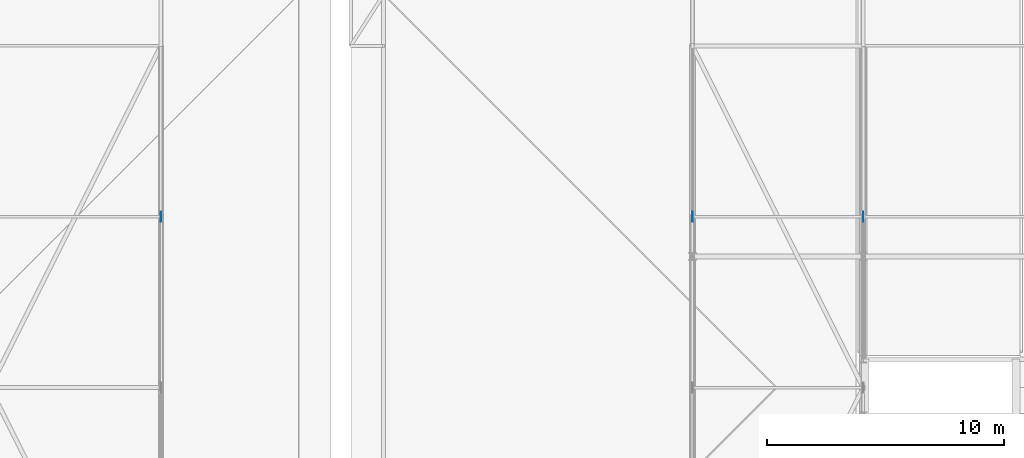
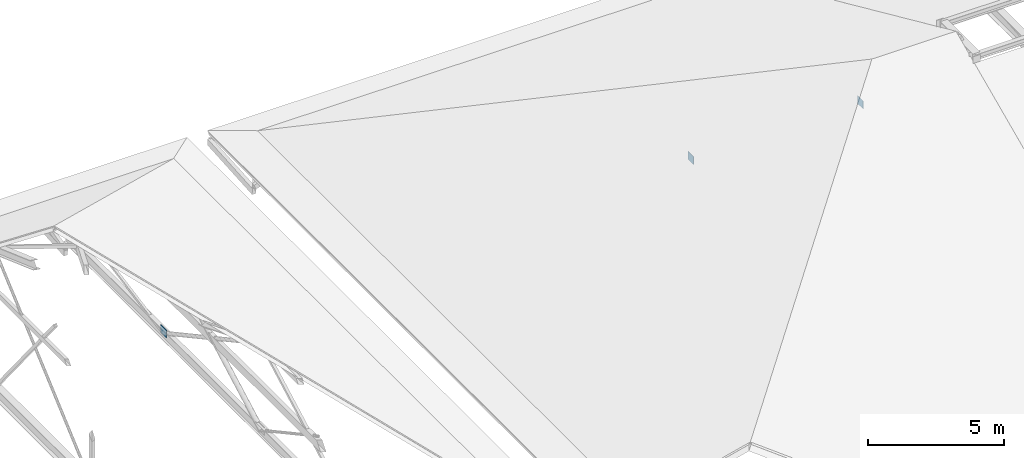
# One storey, part 65 of 100: 3 plates.
"""IFC4 building model written with IfcOpenShell, lengths in metres."""

from ifc_helpers import new_model, si_unit, direction, frame, origin, origin_2d, place, context, subcontext, project, spatial, rectangle, extrude, material, layer, layer_set, type_object, element, save


model = new_model("IFC4")

# Units and contexts
model_context = context("Model", 3, precision=1e-05, world=origin(), true_north=direction((0.0, 1.0)))
body_context = subcontext(model_context, "Body", "Model", "MODEL_VIEW")
ifc_project = project(units=[si_unit("LENGTHUNIT", "METRE"), si_unit("AREAUNIT", "SQUARE_METRE"), si_unit("VOLUMEUNIT", "CUBIC_METRE"), si_unit("PLANEANGLEUNIT", "RADIAN"), si_unit("MASSUNIT", "GRAM", prefix="KILO")], contexts=[model_context])

# Site, building, storey
site_placement = place(None, origin())
site = spatial("IfcSite", under=ifc_project, at=site_placement, CompositionType="ELEMENT")
building_placement = place(site_placement, origin())
building = spatial("IfcBuilding", under=site, at=building_placement, Name="Steenspoor Specialist Clinic", CompositionType="ELEMENT")
storey_placement = place(building_placement, frame((0.0, 0.0, 9.0)))
storey = spatial("IfcBuildingStorey", under=building, at=storey_placement, Name="L02", CompositionType="ELEMENT", Elevation=9.0)

# Plates
ifc_material = material(Name="Steel A572 Grade 50", Category="steel")
ifc_layer_1 = layer(ifc_material, 0.010009765625)
ifc_layer_set_1 = layer_set([ifc_layer_1], Name="Steel A572 Grade 50")
plate_type_1 = type_object("IfcPlateType", Name="PL-CAP-10", PredefinedType="SHEET", material=ifc_layer_set_1)
plate_1_placement = place(storey_placement, frame((139.60009765625, 34.64990234375, 0.07373046875), z_axis=(0.0, 0.0, 1.0), x_axis=(1.0, 0.0, 0.0)))
element("IfcPlate", 1, at=plate_1_placement, inside=storey, type_object=plate_type_1, Name="Truss Gusset Plate GP-10", PredefinedType="SHEET", context=body_context, shape_type="SweptSolid", body=[
    extrude(rectangle(XDim=0.010009765625, YDim=0.419921875, at=origin_2d()), origin(), (0.0, 0.0, 1.0), 0.360107421875),
])
ifc_layer_2 = layer(ifc_material, 0.01611328125)
ifc_layer_set_2 = layer_set([ifc_layer_2], Name="Steel A572 Grade 50")
plate_type_2 = type_object("IfcPlateType", Name="PL-GUS-16", PredefinedType="SHEET", material=ifc_layer_set_2)
plate_2_placement = place(storey_placement, frame((132.39990234375, 34.64990234375, 0.1015625), z_axis=(0.0, 0.0, 1.0), x_axis=(1.0, 0.0, 0.0)))
element("IfcPlate", 2, at=plate_2_placement, inside=storey, type_object=plate_type_2, Name="Truss Gusset Plate GP-16", PredefinedType="SHEET", context=body_context, shape_type="SweptSolid", body=[
    extrude(rectangle(XDim=0.01611328125, YDim=0.419921875, at=origin_2d()), origin(), (0.0, 0.0, 1.0), 0.360107421875),
])
ifc_layer_3 = layer(ifc_material, 0.02392578125)
ifc_layer_set_3 = layer_set([ifc_layer_3], Name="Steel A572 Grade 50")
plate_type_3 = type_object("IfcPlateType", Name="PL-GUS-24", PredefinedType="SHEET", material=ifc_layer_set_3)
plate_3_placement = place(storey_placement, frame((110.0, 34.64990234375, 0.15283203125), z_axis=(0.0, 0.0, 1.0), x_axis=(1.0, 0.0, 0.0)))
element("IfcPlate", 3, at=plate_3_placement, inside=storey, type_object=plate_type_3, Name="Truss Gusset Plate GP-24", PredefinedType="SHEET", context=body_context, shape_type="SweptSolid", body=[
    extrude(rectangle(XDim=0.02392578125, YDim=0.419921875, at=origin_2d()), origin(), (0.0, 0.0, 1.0), 0.360107421875),
])

save(model, "model.ifc")
